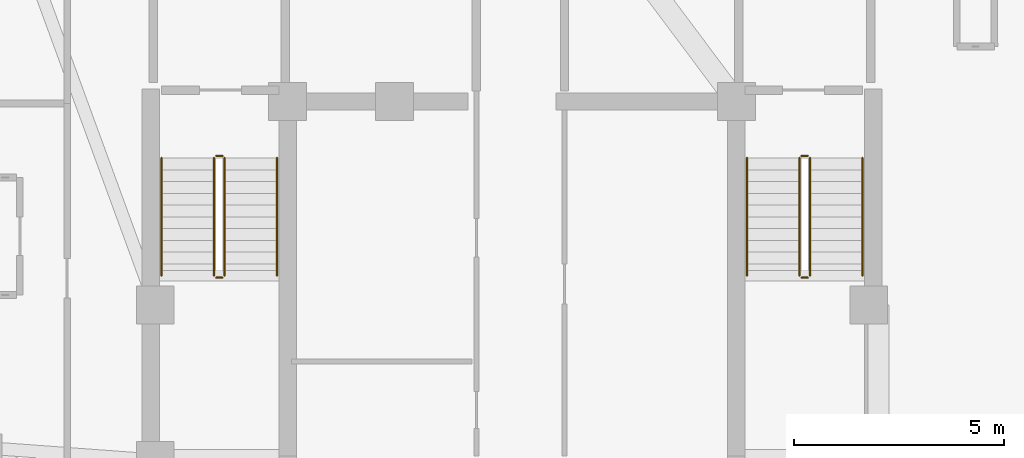
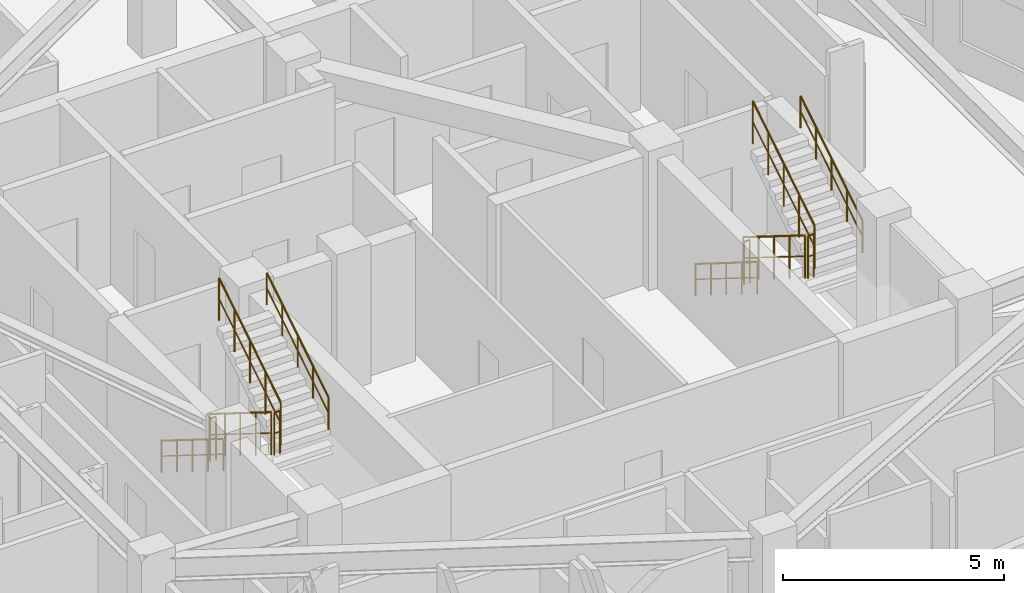
# One storey, part 13 of 13: 12 railings.
"""IFC4 building model written with IfcOpenShell, lengths in metres."""

from ifc_helpers import new_model, si_unit, direction, frame, origin, origin_2d, place, context, subcontext, project, spatial, circle, extrude, material, type_object, element, save


model = new_model("IFC4")

# Units and contexts
model_context = context("Model", 3, precision=1e-05, world=origin(), true_north=direction((0.0, 1.0)))
body_context = subcontext(model_context, "Body", "Model", "MODEL_VIEW")
ifc_project = project(units=[si_unit("LENGTHUNIT", "METRE"), si_unit("AREAUNIT", "SQUARE_METRE"), si_unit("VOLUMEUNIT", "CUBIC_METRE"), si_unit("PLANEANGLEUNIT", "RADIAN"), si_unit("MASSUNIT", "GRAM", prefix="KILO")], contexts=[model_context])

# Site, building, storey
site_placement = place(None, origin())
site = spatial("IfcSite", under=ifc_project, at=site_placement, CompositionType="ELEMENT")
building_placement = place(site_placement, origin())
building = spatial("IfcBuilding", under=site, at=building_placement, Name="Miruveldt Soraemaru", CompositionType="ELEMENT")
storey_placement = place(building_placement, frame((0.0, 0.0, 255.85009765625)))
storey = spatial("IfcBuildingStorey", under=building, at=storey_placement, Name="L70", CompositionType="ELEMENT", Elevation=255.85009765625)

# Railings
ifc_material = material(Name="Steel S355 (355 MPa)", Category="steel")
railing_type_1 = type_object("IfcRailingType", Name="RAIL-HR-900", PredefinedType="HANDRAIL", material=ifc_material)
railing_1_placement = place(storey_placement, frame((35.64990234375, 42.699951171875, 0.1748046875)))
element("IfcRailing", 1, at=railing_1_placement, inside=storey, type_object=railing_type_1, Name="L70 ST-1 stair handrail 1", PredefinedType="HANDRAIL", context=body_context, shape_type="SweptSolid", body=[
    extrude(circle(Radius=0.02392578125, at=origin_2d()), frame((0.0, 0.0, 0.8759765625), z_axis=(0.0, -0.848002457836, 0.529992293815), x_axis=(1.0, 0.0, 0.0)), (0.0, 0.0, 1.0), 3.302001953125),
    extrude(circle(Radius=0.01611328125, at=origin_2d()), frame((0.0, 0.0, 0.449951171875), z_axis=(0.0, -0.848002457836, 0.529992293815), x_axis=(1.0, 0.0, 0.0)), (0.0, 0.0, 1.0), 3.302001953125),
    extrude(circle(Radius=0.02099609375, at=origin_2d()), origin(), (0.0, 0.0, 1.0), 0.851806640625),
    extrude(circle(Radius=0.02099609375, at=origin_2d()), frame((0.0, -0.699951171875, 0.4375)), (0.0, 0.0, 1.0), 0.851806640625),
    extrude(circle(Radius=0.02099609375, at=origin_2d()), frame((0.0, -1.39990234375, 0.875)), (0.0, 0.0, 1.0), 0.851806640625),
    extrude(circle(Radius=0.02099609375, at=origin_2d()), frame((0.0, -2.10009765625, 1.3125)), (0.0, 0.0, 1.0), 0.851806640625),
    extrude(circle(Radius=0.02099609375, at=origin_2d()), frame((0.0, -2.800048828125, 1.75)), (0.0, 0.0, 1.0), 0.851806640625),
])
railing_2_placement = place(storey_placement, frame((38.39990234375, 39.89990234375, 2.099853515625)))
element("IfcRailing", 2, at=railing_2_placement, inside=storey, type_object=railing_type_1, Name="L70 ST-1 stair handrail 2", PredefinedType="HANDRAIL", context=body_context, shape_type="SweptSolid", body=[
    extrude(circle(Radius=0.02392578125, at=origin_2d()), frame((0.0, 0.0, 0.8759765625), z_axis=(0.0, 0.848002457836, 0.529992293815), x_axis=(-1.0, 0.0, 0.0)), (0.0, 0.0, 1.0), 3.302001953125),
    extrude(circle(Radius=0.01611328125, at=origin_2d()), frame((0.0, 0.0, 0.449951171875), z_axis=(0.0, 0.848002457836, 0.529992293815), x_axis=(-1.0, 0.0, 0.0)), (0.0, 0.0, 1.0), 3.302001953125),
    extrude(circle(Radius=0.02099609375, at=origin_2d()), origin(), (0.0, 0.0, 1.0), 0.851806640625),
    extrude(circle(Radius=0.02099609375, at=origin_2d()), frame((0.0, 0.699951171875, 0.4375)), (0.0, 0.0, 1.0), 0.851806640625),
    extrude(circle(Radius=0.02099609375, at=origin_2d()), frame((0.0, 1.39990234375, 0.875)), (0.0, 0.0, 1.0), 0.851806640625),
    extrude(circle(Radius=0.02099609375, at=origin_2d()), frame((0.0, 2.10009765625, 1.3125)), (0.0, 0.0, 1.0), 0.851806640625),
    extrude(circle(Radius=0.02099609375, at=origin_2d()), frame((0.0, 2.800048828125, 1.75)), (0.0, 0.0, 1.0), 0.851806640625),
])
railing_3_placement = place(storey_placement, frame((49.60009765625, 42.699951171875, 0.1748046875)))
element("IfcRailing", 3, at=railing_3_placement, inside=storey, type_object=railing_type_1, Name="L70 ST-2 stair handrail 1", PredefinedType="HANDRAIL", context=body_context, shape_type="SweptSolid", body=[
    extrude(circle(Radius=0.02392578125, at=origin_2d()), frame((0.0, 0.0, 0.8759765625), z_axis=(0.0, -0.848002457836, 0.529992293815), x_axis=(1.0, 0.0, 0.0)), (0.0, 0.0, 1.0), 3.302001953125),
    extrude(circle(Radius=0.01611328125, at=origin_2d()), frame((0.0, 0.0, 0.449951171875), z_axis=(0.0, -0.848002457836, 0.529992293815), x_axis=(1.0, 0.0, 0.0)), (0.0, 0.0, 1.0), 3.302001953125),
    extrude(circle(Radius=0.02099609375, at=origin_2d()), origin(), (0.0, 0.0, 1.0), 0.851806640625),
    extrude(circle(Radius=0.02099609375, at=origin_2d()), frame((0.0, -0.699951171875, 0.4375)), (0.0, 0.0, 1.0), 0.851806640625),
    extrude(circle(Radius=0.02099609375, at=origin_2d()), frame((0.0, -1.39990234375, 0.875)), (0.0, 0.0, 1.0), 0.851806640625),
    extrude(circle(Radius=0.02099609375, at=origin_2d()), frame((0.0, -2.10009765625, 1.3125)), (0.0, 0.0, 1.0), 0.851806640625),
    extrude(circle(Radius=0.02099609375, at=origin_2d()), frame((0.0, -2.800048828125, 1.75)), (0.0, 0.0, 1.0), 0.851806640625),
])
railing_4_placement = place(storey_placement, frame((52.35009765625, 39.89990234375, 2.099853515625)))
element("IfcRailing", 4, at=railing_4_placement, inside=storey, type_object=railing_type_1, Name="L70 ST-2 stair handrail 2", PredefinedType="HANDRAIL", context=body_context, shape_type="SweptSolid", body=[
    extrude(circle(Radius=0.02392578125, at=origin_2d()), frame((0.0, 0.0, 0.8759765625), z_axis=(0.0, 0.848002457836, 0.529992293815), x_axis=(-1.0, 0.0, 0.0)), (0.0, 0.0, 1.0), 3.302001953125),
    extrude(circle(Radius=0.01611328125, at=origin_2d()), frame((0.0, 0.0, 0.449951171875), z_axis=(0.0, 0.848002457836, 0.529992293815), x_axis=(-1.0, 0.0, 0.0)), (0.0, 0.0, 1.0), 3.302001953125),
    extrude(circle(Radius=0.02099609375, at=origin_2d()), origin(), (0.0, 0.0, 1.0), 0.851806640625),
    extrude(circle(Radius=0.02099609375, at=origin_2d()), frame((0.0, 0.699951171875, 0.4375)), (0.0, 0.0, 1.0), 0.851806640625),
    extrude(circle(Radius=0.02099609375, at=origin_2d()), frame((0.0, 1.39990234375, 0.875)), (0.0, 0.0, 1.0), 0.851806640625),
    extrude(circle(Radius=0.02099609375, at=origin_2d()), frame((0.0, 2.10009765625, 1.3125)), (0.0, 0.0, 1.0), 0.851806640625),
    extrude(circle(Radius=0.02099609375, at=origin_2d()), frame((0.0, 2.800048828125, 1.75)), (0.0, 0.0, 1.0), 0.851806640625),
])
railing_type_2 = type_object("IfcRailingType", Name="RAIL-STGUARD-1200", PredefinedType="GUARDRAIL", material=ifc_material)
railing_5_placement = place(storey_placement, frame((36.89990234375, 42.699951171875, 0.1748046875)))
element("IfcRailing", 5, at=railing_5_placement, inside=storey, type_object=railing_type_2, Name="L70 ST-1 stair guard 1", PredefinedType="GUARDRAIL", context=body_context, shape_type="SweptSolid", body=[
    extrude(circle(Radius=0.02392578125, at=origin_2d()), frame((0.0, 0.0, 1.17578125), z_axis=(0.0, -0.848002457836, 0.529992293815), x_axis=(1.0, 0.0, 0.0)), (0.0, 0.0, 1.0), 3.302001953125),
    extrude(circle(Radius=0.01611328125, at=origin_2d()), frame((0.0, 0.0, 0.60009765625), z_axis=(0.0, -0.848002457836, 0.529992293815), x_axis=(1.0, 0.0, 0.0)), (0.0, 0.0, 1.0), 3.302001953125),
    extrude(circle(Radius=0.02099609375, at=origin_2d()), origin(), (0.0, 0.0, 1.0), 1.15185546875),
    extrude(circle(Radius=0.02099609375, at=origin_2d()), frame((0.0, -0.699951171875, 0.4375)), (0.0, 0.0, 1.0), 1.15185546875),
    extrude(circle(Radius=0.02099609375, at=origin_2d()), frame((0.0, -1.39990234375, 0.875)), (0.0, 0.0, 1.0), 1.15185546875),
    extrude(circle(Radius=0.02099609375, at=origin_2d()), frame((0.0, -2.10009765625, 1.3125)), (0.0, 0.0, 1.0), 1.15185546875),
    extrude(circle(Radius=0.02099609375, at=origin_2d()), frame((0.0, -2.800048828125, 1.75)), (0.0, 0.0, 1.0), 1.15185546875),
])
railing_6_placement = place(storey_placement, frame((36.949951171875, 39.85009765625, 1.9248046875)))
element("IfcRailing", 6, at=railing_6_placement, inside=storey, type_object=railing_type_2, Name="L70 ST-1 stair guard 2", PredefinedType="GUARDRAIL", context=body_context, shape_type="SweptSolid", body=[
    extrude(circle(Radius=0.02392578125, at=origin_2d()), frame((0.0, 0.0, 1.17578125), z_axis=(1.0, 0.0, 0.0), x_axis=(0.0, 1.0, 0.0)), (0.0, 0.0, 1.0), 0.150146484375),
    extrude(circle(Radius=0.01611328125, at=origin_2d()), frame((0.0, 0.0, 0.60009765625), z_axis=(1.0, 0.0, 0.0), x_axis=(0.0, 1.0, 0.0)), (0.0, 0.0, 1.0), 0.150146484375),
    extrude(circle(Radius=0.02099609375, at=origin_2d()), origin(), (0.0, 0.0, 1.0), 1.15185546875),
    extrude(circle(Radius=0.02099609375, at=origin_2d()), frame((0.150146484375, 0.0, 0.0)), (0.0, 0.0, 1.0), 1.15185546875),
])
railing_7_placement = place(storey_placement, frame((37.14990234375, 39.89990234375, 2.099853515625)))
element("IfcRailing", 7, at=railing_7_placement, inside=storey, type_object=railing_type_2, Name="L70 ST-1 stair guard 3", PredefinedType="GUARDRAIL", context=body_context, shape_type="SweptSolid", body=[
    extrude(circle(Radius=0.02392578125, at=origin_2d()), frame((0.0, 0.0, 1.17578125), z_axis=(0.0, 0.848002457836, 0.529992293815), x_axis=(-1.0, 0.0, 0.0)), (0.0, 0.0, 1.0), 3.302001953125),
    extrude(circle(Radius=0.01611328125, at=origin_2d()), frame((0.0, 0.0, 0.60009765625), z_axis=(0.0, 0.848002457836, 0.529992293815), x_axis=(-1.0, 0.0, 0.0)), (0.0, 0.0, 1.0), 3.302001953125),
    extrude(circle(Radius=0.02099609375, at=origin_2d()), origin(), (0.0, 0.0, 1.0), 1.15185546875),
    extrude(circle(Radius=0.02099609375, at=origin_2d()), frame((0.0, 0.699951171875, 0.4375)), (0.0, 0.0, 1.0), 1.15185546875),
    extrude(circle(Radius=0.02099609375, at=origin_2d()), frame((0.0, 1.39990234375, 0.875)), (0.0, 0.0, 1.0), 1.15185546875),
    extrude(circle(Radius=0.02099609375, at=origin_2d()), frame((0.0, 2.10009765625, 1.3125)), (0.0, 0.0, 1.0), 1.15185546875),
    extrude(circle(Radius=0.02099609375, at=origin_2d()), frame((0.0, 2.800048828125, 1.75)), (0.0, 0.0, 1.0), 1.15185546875),
])
railing_8_placement = place(storey_placement, frame((36.949951171875, 42.75, 0.0)))
element("IfcRailing", 8, at=railing_8_placement, inside=storey, type_object=railing_type_2, Name="L70 ST-1 stair guard 4", PredefinedType="GUARDRAIL", context=body_context, shape_type="SweptSolid", body=[
    extrude(circle(Radius=0.02392578125, at=origin_2d()), frame((0.0, 0.0, 1.17578125), z_axis=(1.0, 0.0, 0.0), x_axis=(0.0, 1.0, 0.0)), (0.0, 0.0, 1.0), 0.150146484375),
    extrude(circle(Radius=0.01611328125, at=origin_2d()), frame((0.0, 0.0, 0.60009765625), z_axis=(1.0, 0.0, 0.0), x_axis=(0.0, 1.0, 0.0)), (0.0, 0.0, 1.0), 0.150146484375),
    extrude(circle(Radius=0.02099609375, at=origin_2d()), origin(), (0.0, 0.0, 1.0), 1.15185546875),
    extrude(circle(Radius=0.02099609375, at=origin_2d()), frame((0.150146484375, 0.0, 0.0)), (0.0, 0.0, 1.0), 1.15185546875),
])
railing_9_placement = place(storey_placement, frame((50.85009765625, 42.699951171875, 0.1748046875)))
element("IfcRailing", 9, at=railing_9_placement, inside=storey, type_object=railing_type_2, Name="L70 ST-2 stair guard 1", PredefinedType="GUARDRAIL", context=body_context, shape_type="SweptSolid", body=[
    extrude(circle(Radius=0.02392578125, at=origin_2d()), frame((0.0, 0.0, 1.17578125), z_axis=(0.0, -0.848002457836, 0.529992293815), x_axis=(1.0, 0.0, 0.0)), (0.0, 0.0, 1.0), 3.302001953125),
    extrude(circle(Radius=0.01611328125, at=origin_2d()), frame((0.0, 0.0, 0.60009765625), z_axis=(0.0, -0.848002457836, 0.529992293815), x_axis=(1.0, 0.0, 0.0)), (0.0, 0.0, 1.0), 3.302001953125),
    extrude(circle(Radius=0.02099609375, at=origin_2d()), origin(), (0.0, 0.0, 1.0), 1.15185546875),
    extrude(circle(Radius=0.02099609375, at=origin_2d()), frame((0.0, -0.699951171875, 0.4375)), (0.0, 0.0, 1.0), 1.15185546875),
    extrude(circle(Radius=0.02099609375, at=origin_2d()), frame((0.0, -1.39990234375, 0.875)), (0.0, 0.0, 1.0), 1.15185546875),
    extrude(circle(Radius=0.02099609375, at=origin_2d()), frame((0.0, -2.10009765625, 1.3125)), (0.0, 0.0, 1.0), 1.15185546875),
    extrude(circle(Radius=0.02099609375, at=origin_2d()), frame((0.0, -2.800048828125, 1.75)), (0.0, 0.0, 1.0), 1.15185546875),
])
railing_10_placement = place(storey_placement, frame((50.89990234375, 39.85009765625, 1.9248046875)))
element("IfcRailing", 10, at=railing_10_placement, inside=storey, type_object=railing_type_2, Name="L70 ST-2 stair guard 2", PredefinedType="GUARDRAIL", context=body_context, shape_type="SweptSolid", body=[
    extrude(circle(Radius=0.02392578125, at=origin_2d()), frame((0.0, 0.0, 1.17578125), z_axis=(1.0, 0.0, 0.0), x_axis=(0.0, 1.0, 0.0)), (0.0, 0.0, 1.0), 0.150146484375),
    extrude(circle(Radius=0.01611328125, at=origin_2d()), frame((0.0, 0.0, 0.60009765625), z_axis=(1.0, 0.0, 0.0), x_axis=(0.0, 1.0, 0.0)), (0.0, 0.0, 1.0), 0.150146484375),
    extrude(circle(Radius=0.02099609375, at=origin_2d()), origin(), (0.0, 0.0, 1.0), 1.15185546875),
    extrude(circle(Radius=0.02099609375, at=origin_2d()), frame((0.150146484375, 0.0, 0.0)), (0.0, 0.0, 1.0), 1.15185546875),
])
railing_11_placement = place(storey_placement, frame((51.10009765625, 39.89990234375, 2.099853515625)))
element("IfcRailing", 11, at=railing_11_placement, inside=storey, type_object=railing_type_2, Name="L70 ST-2 stair guard 3", PredefinedType="GUARDRAIL", context=body_context, shape_type="SweptSolid", body=[
    extrude(circle(Radius=0.02392578125, at=origin_2d()), frame((0.0, 0.0, 1.17578125), z_axis=(0.0, 0.848002457836, 0.529992293815), x_axis=(-1.0, 0.0, 0.0)), (0.0, 0.0, 1.0), 3.302001953125),
    extrude(circle(Radius=0.01611328125, at=origin_2d()), frame((0.0, 0.0, 0.60009765625), z_axis=(0.0, 0.848002457836, 0.529992293815), x_axis=(-1.0, 0.0, 0.0)), (0.0, 0.0, 1.0), 3.302001953125),
    extrude(circle(Radius=0.02099609375, at=origin_2d()), origin(), (0.0, 0.0, 1.0), 1.15185546875),
    extrude(circle(Radius=0.02099609375, at=origin_2d()), frame((0.0, 0.699951171875, 0.4375)), (0.0, 0.0, 1.0), 1.15185546875),
    extrude(circle(Radius=0.02099609375, at=origin_2d()), frame((0.0, 1.39990234375, 0.875)), (0.0, 0.0, 1.0), 1.15185546875),
    extrude(circle(Radius=0.02099609375, at=origin_2d()), frame((0.0, 2.10009765625, 1.3125)), (0.0, 0.0, 1.0), 1.15185546875),
    extrude(circle(Radius=0.02099609375, at=origin_2d()), frame((0.0, 2.800048828125, 1.75)), (0.0, 0.0, 1.0), 1.15185546875),
])
railing_12_placement = place(storey_placement, frame((50.89990234375, 42.75, 0.0)))
element("IfcRailing", 12, at=railing_12_placement, inside=storey, type_object=railing_type_2, Name="L70 ST-2 stair guard 4", PredefinedType="GUARDRAIL", context=body_context, shape_type="SweptSolid", body=[
    extrude(circle(Radius=0.02392578125, at=origin_2d()), frame((0.0, 0.0, 1.17578125), z_axis=(1.0, 0.0, 0.0), x_axis=(0.0, 1.0, 0.0)), (0.0, 0.0, 1.0), 0.150146484375),
    extrude(circle(Radius=0.01611328125, at=origin_2d()), frame((0.0, 0.0, 0.60009765625), z_axis=(1.0, 0.0, 0.0), x_axis=(0.0, 1.0, 0.0)), (0.0, 0.0, 1.0), 0.150146484375),
    extrude(circle(Radius=0.02099609375, at=origin_2d()), origin(), (0.0, 0.0, 1.0), 1.15185546875),
    extrude(circle(Radius=0.02099609375, at=origin_2d()), frame((0.150146484375, 0.0, 0.0)), (0.0, 0.0, 1.0), 1.15185546875),
])

save(model, "model.ifc")
